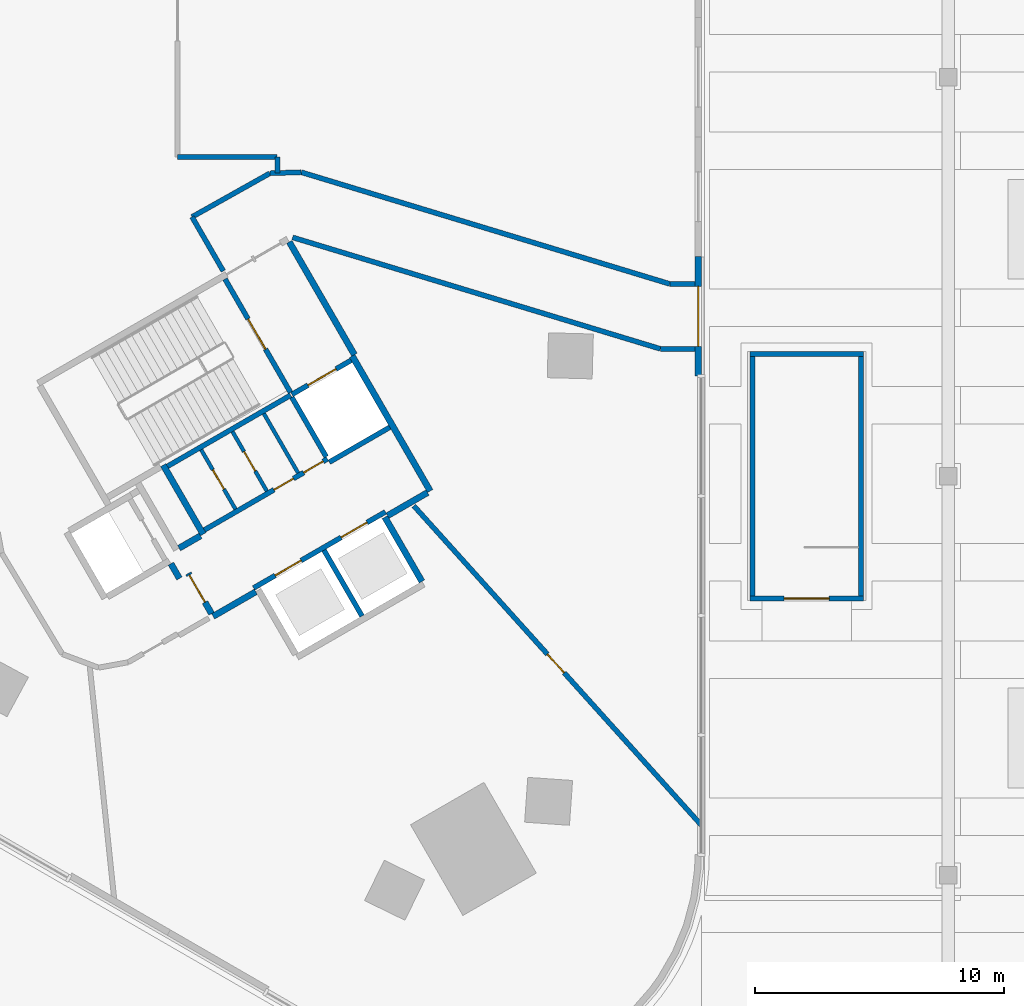
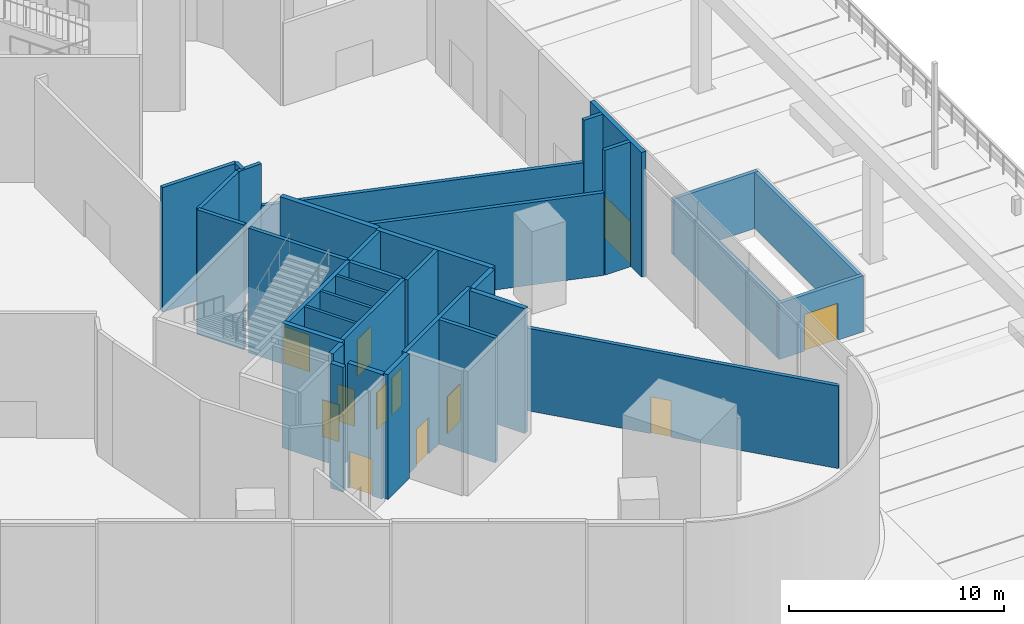
# One storey, part 21 of 41: 35 walls, 12 doors, 12 openings.
"""IFC4 building model written with IfcOpenShell, lengths in metres."""

from ifc_helpers import new_model, si_unit, direction, frame, frame_2d, origin, place, context, subcontext, project, spatial, rectangle, extrude, material, layer, layer_set, type_object, element, fill, save


model = new_model("IFC4")

# Units and contexts
model_context = context("Model", 3, precision=1e-05, world=origin(), true_north=direction((0.0, 1.0)))
body_context = subcontext(model_context, "Body", "Model", "MODEL_VIEW")
ifc_project = project(units=[si_unit("LENGTHUNIT", "METRE"), si_unit("AREAUNIT", "SQUARE_METRE"), si_unit("VOLUMEUNIT", "CUBIC_METRE"), si_unit("PLANEANGLEUNIT", "RADIAN"), si_unit("MASSUNIT", "GRAM", prefix="KILO")], contexts=[model_context])

# Site, building, storey
site_placement = place(None, origin())
site = spatial("IfcSite", under=ifc_project, at=site_placement, CompositionType="ELEMENT")
building_placement = place(site_placement, origin())
building = spatial("IfcBuilding", under=site, at=building_placement, Name="Tamra Quay Hotel Tower", CompositionType="ELEMENT")
storey_placement = place(building_placement, origin())
storey = spatial("IfcBuildingStorey", under=building, at=storey_placement, Name="L00", CompositionType="ELEMENT", Elevation=0.0)

# Wall, openings, doors
ifc_material_1 = material(Name="Concrete M70", Category="concrete")
ifc_layer_1 = layer(ifc_material_1, 0.199951171875)
ifc_layer_set_1 = layer_set([ifc_layer_1], Name="Concrete M70 core wall 200")
wall_type_1 = type_object("IfcWallType", Name="Concrete M70 core wall 200", PredefinedType="SHEAR", material=ifc_layer_set_1)
wall_1_placement = place(storey_placement, frame((9.052490234375, -20.479736328125, 0.0), z_axis=(0.0, 0.0, 1.0), x_axis=(0.866030299012, 0.499991521122, 0.0)))
wall_1 = element("IfcWall", 1, at=wall_1_placement, inside=storey, type_object=wall_type_1, Name="CW2", PredefinedType="SHEAR", context=body_context, shape_type="SweptSolid", body=[
    extrude(rectangle(XDim=6.10009765625, YDim=0.199951171875, at=frame_2d((3.050048828125, 0.0))), origin(), (0.0, 0.0, 1.0), 7.10009765625),
])
opening_1_placement = place(wall_1_placement, frame((1.0, 0.0, 0.0)))
opening_1 = element("IfcOpeningElement", 2, at=opening_1_placement, cuts=wall_1, Name="Opening LD", PredefinedType="OPENING", context=body_context, shape_type="SweptSolid", body=[
    extrude(rectangle(XDim=1.199951171875, YDim=2.10009765625, at=frame_2d((0.60009765625, 1.050048828125))), frame((0.0, 0.10986328125, 0.0), z_axis=(0.0, -1.0, 0.0), x_axis=(1.0, 0.0, 0.0)), (0.0, 0.0, 1.0), 0.219970703125),
])
opening_2_placement = place(wall_1_placement, frame((4.05029296875, 0.0, 0.0)))
opening_2 = element("IfcOpeningElement", 3, at=opening_2_placement, cuts=wall_1, Name="Opening LD", PredefinedType="OPENING", context=body_context, shape_type="SweptSolid", body=[
    extrude(rectangle(XDim=1.199951171875, YDim=2.10009765625, at=frame_2d((0.60009765625, 1.050048828125))), frame((0.0, 0.10986328125, 0.0), z_axis=(0.0, -1.0, 0.0), x_axis=(1.0, 0.0, 0.0)), (0.0, 0.0, 1.0), 0.219970703125),
])
ifc_material_2 = material(Name="Landing door LD 1200 double door sliding")
door_type_1 = type_object("IfcDoorType", Name="Landing door LD 1200 double door sliding", OperationType="DOUBLE_DOOR_SLIDING", PredefinedType="DOOR", material=ifc_material_2)
door_1_placement = place(opening_1_placement, origin())
door_1 = element("IfcDoor", 4, at=door_1_placement, inside=storey, type_object=door_type_1, Name="LD", OperationType="DOUBLE_DOOR_SLIDING", OverallHeight=2.10009765625, OverallWidth=1.199951171875, PredefinedType="DOOR", context=body_context, shape_type="SweptSolid", body=[
    extrude(rectangle(XDim=1.199951171875, YDim=2.10009765625, at=frame_2d((0.60009765625, 1.050048828125))), frame((0.0, 0.02490234375, 0.0), z_axis=(0.0, -1.0, 0.0), x_axis=(1.0, 0.0, 0.0)), (0.0, 0.0, 1.0), 0.050048828125),
])
fill(opening_1, door_1)
door_2_placement = place(opening_2_placement, origin())
door_2 = element("IfcDoor", 5, at=door_2_placement, inside=storey, type_object=door_type_1, Name="LD", OperationType="DOUBLE_DOOR_SLIDING", OverallHeight=2.10009765625, OverallWidth=1.199951171875, PredefinedType="DOOR", context=body_context, shape_type="SweptSolid", body=[
    extrude(rectangle(XDim=1.199951171875, YDim=2.10009765625, at=frame_2d((0.60009765625, 1.050048828125))), frame((0.0, 0.02490234375, 0.0), z_axis=(0.0, -1.0, 0.0), x_axis=(1.0, 0.0, 0.0)), (0.0, 0.0, 1.0), 0.050048828125),
])
fill(opening_2, door_2)

# Wall
wall_2_placement = place(storey_placement, frame((10.537841796875, -12.751953125, 0.0), z_axis=(0.0, 0.0, 1.0), x_axis=(-0.866038630372, -0.499977090179, 0.0)))
element("IfcWall", 6, at=wall_2_placement, inside=storey, type_object=wall_type_1, Name="CW2", PredefinedType="SHEAR", context=body_context, shape_type="SweptSolid", body=[
    extrude(rectangle(XDim=5.698974609375, YDim=0.199951171875, at=frame_2d((2.849609375, 0.0))), origin(), (0.0, 0.0, 1.0), 7.10009765625),
])

# Wall, openings, doors
wall_3_placement = place(storey_placement, frame((7.0771484375, -18.156005859375, 0.0), z_axis=(0.0, 0.0, 1.0), x_axis=(0.866038630372, 0.499977090179, 0.0)))
wall_3 = element("IfcWall", 7, at=wall_3_placement, inside=storey, type_object=wall_type_1, Name="CW2", PredefinedType="SHEAR", context=body_context, shape_type="SweptSolid", body=[
    extrude(rectangle(XDim=5.698974609375, YDim=0.199951171875, at=frame_2d((2.849609375, 0.0))), origin(), (0.0, 0.0, 1.0), 7.10009765625),
])
opening_3_placement = place(wall_3_placement, frame((3.22412109375, 0.0, 0.0)))
opening_3 = element("IfcOpeningElement", 8, at=opening_3_placement, cuts=wall_3, Name="Opening D2", PredefinedType="OPENING", context=body_context, shape_type="SweptSolid", body=[
    extrude(rectangle(XDim=0.89990234375, YDim=2.10009765625, at=frame_2d((0.449951171875, 1.050048828125))), frame((0.0, 0.10986328125, 0.0), z_axis=(0.0, -1.0, 0.0), x_axis=(1.0, 0.0, 0.0)), (0.0, 0.0, 1.0), 0.219970703125),
])
opening_4_placement = place(wall_3_placement, frame((4.59912109375, 0.0, 0.0)))
opening_4 = element("IfcOpeningElement", 9, at=opening_4_placement, cuts=wall_3, Name="Opening D2", PredefinedType="OPENING", context=body_context, shape_type="SweptSolid", body=[
    extrude(rectangle(XDim=0.89990234375, YDim=2.10009765625, at=frame_2d((0.449951171875, 1.050048828125))), frame((0.0, 0.10986328125, 0.0), z_axis=(0.0, -1.0, 0.0), x_axis=(1.0, 0.0, 0.0)), (0.0, 0.0, 1.0), 0.219970703125),
])
ifc_material_3 = material(Name="Core door D2 900x2100 LH")
door_type_2 = type_object("IfcDoorType", Name="Core door D2 900x2100 LH", OperationType="NOTDEFINED", PredefinedType="DOOR", material=ifc_material_3)
door_3_placement = place(opening_3_placement, origin())
door_3 = element("IfcDoor", 10, at=door_3_placement, inside=storey, type_object=door_type_2, Name="D2", OperationType="SINGLE_SWING_LEFT", OverallHeight=2.10009765625, OverallWidth=0.89990234375, PredefinedType="DOOR", context=body_context, shape_type="SweptSolid", body=[
    extrude(rectangle(XDim=0.89990234375, YDim=2.10009765625, at=frame_2d((0.449951171875, 1.050048828125))), frame((0.0, 0.02490234375, 0.0), z_axis=(0.0, -1.0, 0.0), x_axis=(1.0, 0.0, 0.0)), (0.0, 0.0, 1.0), 0.050048828125),
])
fill(opening_3, door_3)
ifc_material_4 = material(Name="Core door D2 900x2100 RH")
door_type_3 = type_object("IfcDoorType", Name="Core door D2 900x2100 RH", OperationType="NOTDEFINED", PredefinedType="DOOR", material=ifc_material_4)
door_4_placement = place(opening_4_placement, origin())
door_4 = element("IfcDoor", 11, at=door_4_placement, inside=storey, type_object=door_type_3, Name="D2", OperationType="SINGLE_SWING_RIGHT", OverallHeight=2.10009765625, OverallWidth=0.89990234375, PredefinedType="DOOR", context=body_context, shape_type="SweptSolid", body=[
    extrude(rectangle(XDim=0.89990234375, YDim=2.10009765625, at=frame_2d((0.449951171875, 1.050048828125))), frame((0.0, 0.02490234375, 0.0), z_axis=(0.0, -1.0, 0.0), x_axis=(1.0, 0.0, 0.0)), (0.0, 0.0, 1.0), 0.050048828125),
])
fill(opening_4, door_4)

# Wall, opening, door
wall_4_placement = place(storey_placement, frame((7.906494140625, -8.094482421875, 0.0), z_axis=(0.0, 0.0, 1.0), x_axis=(0.500024287448, -0.866011380966, 0.0)))
wall_4 = element("IfcWall", 12, at=wall_4_placement, inside=storey, type_object=wall_type_1, Name="CW2", PredefinedType="SHEAR", context=body_context, shape_type="SweptSolid", body=[
    extrude(rectangle(XDim=5.251220703125, YDim=0.199951171875, at=frame_2d((2.62548828125, 0.0))), origin(), (0.0, 0.0, 1.0), 7.10009765625),
])
opening_5_placement = place(wall_4_placement, frame((1.84912109375, 0.0, 0.0)))
opening_5 = element("IfcOpeningElement", 13, at=opening_5_placement, cuts=wall_4, Name="Opening FD2", PredefinedType="OPENING", context=body_context, shape_type="SweptSolid", body=[
    extrude(rectangle(XDim=1.39990234375, YDim=2.10009765625, at=frame_2d((0.699951171875, 1.050048828125))), frame((0.0, 0.10986328125, 0.0), z_axis=(0.0, -1.0, 0.0), x_axis=(1.0, 0.0, 0.0)), (0.0, 0.0, 1.0), 0.219970703125),
])
ifc_material_5 = material(Name="Core door FD2 1400x2100 RH")
door_type_4 = type_object("IfcDoorType", Name="Core door FD2 1400x2100 RH", OperationType="NOTDEFINED", PredefinedType="DOOR", material=ifc_material_5)
door_5_placement = place(opening_5_placement, origin())
door_5 = element("IfcDoor", 14, at=door_5_placement, inside=storey, type_object=door_type_4, Name="FD2", OperationType="SINGLE_SWING_RIGHT", OverallHeight=2.10009765625, OverallWidth=1.39990234375, PredefinedType="DOOR", context=body_context, shape_type="SweptSolid", body=[
    extrude(rectangle(XDim=1.39990234375, YDim=2.10009765625, at=frame_2d((0.699951171875, 1.050048828125))), frame((0.0, 0.02490234375, 0.0), z_axis=(0.0, -1.0, 0.0), x_axis=(1.0, 0.0, 0.0)), (0.0, 0.0, 1.0), 0.050048828125),
])
fill(opening_5, door_5)

# Walls
wall_5_placement = place(storey_placement, frame((11.87451171875, -18.967041015625, 0.0), z_axis=(0.0, 0.0, 1.0), x_axis=(0.49998131003, -0.866036194175, 0.0)))
element("IfcWall", 15, at=wall_5_placement, inside=storey, type_object=wall_type_1, Name="CW2", PredefinedType="SHEAR", context=body_context, shape_type="SweptSolid", body=[
    extrude(rectangle(XDim=3.0478515625, YDim=0.199951171875, at=frame_2d((1.52392578125, 0.0))), origin(), (0.0, 0.0, 1.0), 7.10009765625),
])
wall_6_placement = place(storey_placement, frame((11.962646484375, -15.219970703125, 0.0), z_axis=(0.0, 0.0, 1.0), x_axis=(-0.500034990121, 0.866005201286, 0.0)))
element("IfcWall", 16, at=wall_6_placement, inside=storey, type_object=wall_type_1, Name="CW2", PredefinedType="SHEAR", context=body_context, shape_type="SweptSolid", body=[
    extrude(rectangle(XDim=2.749755859375, YDim=0.199951171875, at=frame_2d((1.375, 0.0))), origin(), (0.0, 0.0, 1.0), 7.10009765625),
])

# Wall, opening, door
wall_7_placement = place(storey_placement, frame((10.587158203125, -12.72314453125, 0.0), z_axis=(0.0, 0.0, 1.0), x_axis=(0.866037306777, 0.499979382845, 0.0)))
wall_7 = element("IfcWall", 17, at=wall_7_placement, inside=storey, type_object=wall_type_1, Name="CW2", PredefinedType="SHEAR", context=body_context, shape_type="SweptSolid", body=[
    extrude(rectangle(XDim=2.74169921875, YDim=0.199951171875, at=frame_2d((1.370849609375, 0.0))), origin(), (0.0, 0.0, 1.0), 7.10009765625),
])
opening_6_placement = place(wall_7_placement, frame((0.742919921875, 0.0, 0.0)))
opening_6 = element("IfcOpeningElement", 18, at=opening_6_placement, cuts=wall_7, Name="Opening LD", PredefinedType="OPENING", context=body_context, shape_type="SweptSolid", body=[
    extrude(rectangle(XDim=1.300048828125, YDim=2.10009765625, at=frame_2d((0.64990234375, 1.050048828125))), frame((0.0, 0.10986328125, 0.0), z_axis=(0.0, -1.0, 0.0), x_axis=(1.0, 0.0, 0.0)), (0.0, 0.0, 1.0), 0.219970703125),
])
ifc_material_6 = material(Name="Landing door LD 1300 sliding to right")
door_type_5 = type_object("IfcDoorType", Name="Landing door LD 1300 sliding to right", OperationType="NOTDEFINED", PredefinedType="DOOR", material=ifc_material_6)
door_6_placement = place(opening_6_placement, origin())
door_6 = element("IfcDoor", 19, at=door_6_placement, inside=storey, type_object=door_type_5, Name="LD", OperationType="SLIDING_TO_RIGHT", OverallHeight=2.10009765625, OverallWidth=1.300048828125, PredefinedType="DOOR", context=body_context, shape_type="SweptSolid", body=[
    extrude(rectangle(XDim=1.300048828125, YDim=2.10009765625, at=frame_2d((0.64990234375, 1.050048828125))), frame((0.0, 0.02490234375, 0.0), z_axis=(0.0, -1.0, 0.0), x_axis=(1.0, 0.0, 0.0)), (0.0, 0.0, 1.0), 0.050048828125),
])
fill(opening_6, door_6)

# Walls
wall_8_placement = place(storey_placement, frame((14.51171875, -14.037109375, 0.0), z_axis=(0.0, 0.0, 1.0), x_axis=(-0.866044696403, -0.499966582715, 0.0)))
element("IfcWall", 20, at=wall_8_placement, inside=storey, type_object=wall_type_1, Name="CW2", PredefinedType="SHEAR", context=body_context, shape_type="SweptSolid", body=[
    extrude(rectangle(XDim=2.799072265625, YDim=0.199951171875, at=frame_2d((1.3994140625, 0.0))), origin(), (0.0, 0.0, 1.0), 7.10009765625),
])
ifc_layer_2 = layer(ifc_material_1, 0.25)
ifc_layer_set_2 = layer_set([ifc_layer_2], Name="Concrete M70 core wall 250")
wall_type_2 = type_object("IfcWallType", Name="Concrete M70 core wall 250", PredefinedType="SHEAR", material=ifc_layer_set_2)
wall_9_placement = place(storey_placement, frame((13.00830078125, -11.18115234375, 0.0), z_axis=(0.0, 0.0, 1.0), x_axis=(0.500004234368, -0.866022959057, 0.0)))
element("IfcWall", 21, at=wall_9_placement, inside=storey, type_object=wall_type_2, Name="CW1", PredefinedType="SHEAR", context=body_context, shape_type="SweptSolid", body=[
    extrude(rectangle(XDim=6.25, YDim=0.25, at=frame_2d((3.125, 0.0))), origin(), (0.0, 0.0, 1.0), 7.10009765625),
])
wall_10_placement = place(storey_placement, frame((10.482666015625, -6.6064453125, 0.0), z_axis=(0.0, 0.0, 1.0), x_axis=(0.49999885962, -0.866026062182, 0.0)))
element("IfcWall", 22, at=wall_10_placement, inside=storey, type_object=wall_type_2, Name="CW1", PredefinedType="SHEAR", context=body_context, shape_type="SweptSolid", body=[
    extrude(rectangle(XDim=5.224609375, YDim=0.25, at=frame_2d((2.6123046875, 0.0))), origin(), (0.0, 0.0, 1.0), 7.10009765625),
])
wall_11_placement = place(storey_placement, frame((7.030517578125, -18.327392578125, 0.0), z_axis=(0.0, 0.0, 1.0), x_axis=(-0.499971222258, 0.866042017984, 0.0)))
element("IfcWall", 23, at=wall_11_placement, inside=storey, type_object=wall_type_2, Name="CW1", PredefinedType="SHEAR", context=body_context, shape_type="SweptSolid", body=[
    extrude(rectangle(XDim=3.199951171875, YDim=0.25, at=frame_2d((1.60009765625, 0.0))), origin(), (0.0, 0.0, 1.0), 7.10009765625),
])
wall_12_placement = place(storey_placement, frame((14.314697265625, -17.643798828125, 0.0), z_axis=(0.0, 0.0, 1.0), x_axis=(0.500023226632, -0.866011993467, 0.0)))
element("IfcWall", 24, at=wall_12_placement, inside=storey, type_object=wall_type_2, Name="CW1", PredefinedType="SHEAR", context=body_context, shape_type="SweptSolid", body=[
    extrude(rectangle(XDim=2.974365234375, YDim=0.25, at=frame_2d((1.4873046875, 0.0))), origin(), (0.0, 0.0, 1.0), 7.10009765625),
])
wall_13_placement = place(storey_placement, frame((9.139892578125, -20.63134765625, 0.0), z_axis=(0.0, 0.0, 1.0), x_axis=(-0.866043531843, -0.499968599967, 0.0)))
element("IfcWall", 25, at=wall_13_placement, inside=storey, type_object=wall_type_2, Name="CW1", PredefinedType="SHEAR", context=body_context, shape_type="SweptSolid", body=[
    extrude(rectangle(XDim=1.974853515625, YDim=0.25, at=frame_2d((0.9873046875, 0.0))), origin(), (0.0, 0.0, 1.0), 7.10009765625),
])
wall_14_placement = place(storey_placement, frame((16.024658203125, -16.656494140625, 0.0), z_axis=(0.0, 0.0, 1.0), x_axis=(-0.866016279763, -0.500015802937, 0.0)))
element("IfcWall", 26, at=wall_14_placement, inside=storey, type_object=wall_type_2, Name="CW1", PredefinedType="SHEAR", context=body_context, shape_type="SweptSolid", body=[
    extrude(rectangle(XDim=1.84912109375, YDim=0.25, at=frame_2d((0.924560546875, 0.0))), origin(), (0.0, 0.0, 1.0), 7.10009765625),
])

# Wall, opening, door
wall_15_placement = place(storey_placement, frame((7.3671875, -21.51025390625, 0.0), z_axis=(0.0, 0.0, 1.0), x_axis=(-0.499983108224, 0.866035156036, 0.0)))
wall_15 = element("IfcWall", 27, at=wall_15_placement, inside=storey, type_object=wall_type_2, Name="CW1", PredefinedType="SHEAR", context=body_context, shape_type="SweptSolid", body=[
    extrude(rectangle(XDim=1.86474609375, YDim=0.25, at=frame_2d((0.932373046875, 0.0))), origin(), (0.0, 0.0, 1.0), 7.10009765625),
])
opening_7_placement = place(wall_15_placement, frame((0.53466796875, 0.0, 0.0)))
opening_7 = element("IfcOpeningElement", 28, at=opening_7_placement, cuts=wall_15, Name="Opening FD3", PredefinedType="OPENING", context=body_context, shape_type="SweptSolid", body=[
    extrude(rectangle(XDim=1.25, YDim=2.10009765625, at=frame_2d((0.625, 1.050048828125))), frame((0.0, 0.135009765625, 0.0), z_axis=(0.0, -1.0, 0.0), x_axis=(1.0, 0.0, 0.0)), (0.0, 0.0, 1.0), 0.27001953125),
])
ifc_material_7 = material(Name="Core door FD3 1250x2100 LH")
door_type_6 = type_object("IfcDoorType", Name="Core door FD3 1250x2100 LH", OperationType="NOTDEFINED", PredefinedType="DOOR", material=ifc_material_7)
door_7_placement = place(opening_7_placement, origin())
door_7 = element("IfcDoor", 29, at=door_7_placement, inside=storey, type_object=door_type_6, Name="FD3", OperationType="SINGLE_SWING_LEFT", OverallHeight=2.10009765625, OverallWidth=1.25, PredefinedType="DOOR", context=body_context, shape_type="SweptSolid", body=[
    extrude(rectangle(XDim=1.25, YDim=2.10009765625, at=frame_2d((0.625, 1.050048828125))), frame((0.0, 0.02490234375, 0.0), z_axis=(0.0, -1.0, 0.0), x_axis=(1.0, 0.0, 0.0)), (0.0, 0.0, 1.0), 0.050048828125),
])
fill(opening_7, door_7)

# Walls
wall_16_placement = place(storey_placement, frame((6.0654296875, -18.884765625, 0.0), z_axis=(0.0, 0.0, 1.0), x_axis=(0.866017078145, 0.500014420154, 0.0)))
element("IfcWall", 30, at=wall_16_placement, inside=storey, type_object=wall_type_2, Name="CW1", PredefinedType="SHEAR", context=body_context, shape_type="SweptSolid", body=[
    extrude(rectangle(XDim=0.9892578125, YDim=0.25, at=frame_2d((0.49462890625, 0.0))), origin(), (0.0, 0.0, 1.0), 7.10009765625),
])
wall_17_placement = place(storey_placement, frame((6.07958984375, -20.100341796875, 0.0), z_axis=(0.0, 0.0, 1.0), x_axis=(-0.500051773299, 0.865995510393, 0.0)))
element("IfcWall", 31, at=wall_17_placement, inside=storey, type_object=wall_type_2, Name="CW1", PredefinedType="SHEAR", context=body_context, shape_type="SweptSolid", body=[
    extrude(rectangle(XDim=0.6845703125, YDim=0.25, at=frame_2d((0.34228515625, 0.0))), origin(), (0.0, 0.0, 1.0), 7.10009765625),
])
ifc_layer_3 = layer(ifc_material_1, 0.199951171875)
ifc_layer_set_3 = layer_set([ifc_layer_3], Name="Concrete M70 stair enclosure wall 200")
wall_type_3 = type_object("IfcWallType", Name="Concrete M70 stair enclosure wall 200", PredefinedType="SOLIDWALL", material=ifc_layer_set_3)
for number, where, z_axis, x_axis, name in (
    (32, (29.050048828125, -20.800048828125, 0.0), (0.0, 0.0, 1.0), (0.0, 1.0, 0.0), "SEW"),
    (33, (33.39990234375, -20.800048828125, 0.0), (0.0, 0.0, 1.0), (0.0, 1.0, 0.0), "SEW"),
):
    element("IfcWall", number, at=place(storey_placement, frame(where, z_axis=z_axis, x_axis=x_axis)), inside=storey, type_object=wall_type_3, Name=name, PredefinedType="SOLIDWALL", context=body_context, shape_type="SweptSolid", body=[
        extrude(rectangle(XDim=9.60009765625, YDim=0.199951171875, at=frame_2d((4.800048828125, 0.0))), origin(), (0.0, 0.0, 1.0), 3.199951171875),
    ])

# Wall, opening, door
wall_18_placement = place(storey_placement, frame((33.5, -20.89990234375, 0.0), z_axis=(0.0, 0.0, 1.0), x_axis=(-1.0, 0.0, 0.0)))
wall_18 = element("IfcWall", 34, at=wall_18_placement, inside=storey, type_object=wall_type_3, Name="SEW", PredefinedType="SOLIDWALL", context=body_context, shape_type="SweptSolid", body=[
    extrude(rectangle(XDim=4.550048828125, YDim=0.199951171875, at=frame_2d((2.27490234375, 0.0))), origin(), (0.0, 0.0, 1.0), 3.199951171875),
])
opening_8_placement = place(wall_18_placement, frame((1.375, 0.0, 0.0)))
opening_8 = element("IfcOpeningElement", 35, at=opening_8_placement, cuts=wall_18, Name="Opening SD2", PredefinedType="OPENING", context=body_context, shape_type="SweptSolid", body=[
    extrude(rectangle(XDim=1.800048828125, YDim=2.10009765625, at=frame_2d((0.89990234375, 1.050048828125))), frame((0.0, 0.10986328125, 0.0), z_axis=(0.0, -1.0, 0.0), x_axis=(1.0, 0.0, 0.0)), (0.0, 0.0, 1.0), 0.219970703125),
])
ifc_material_8 = material(Name="Stair discharge door 1800 x 2100")
door_type_7 = type_object("IfcDoorType", Name="Stair discharge door 1800 x 2100", OperationType="DOUBLE_DOOR_SINGLE_SWING", PredefinedType="DOOR", material=ifc_material_8)
door_8_placement = place(opening_8_placement, origin())
door_8 = element("IfcDoor", 36, at=door_8_placement, inside=storey, type_object=door_type_7, Name="SD2", OperationType="DOUBLE_DOOR_SINGLE_SWING", OverallHeight=2.10009765625, OverallWidth=1.800048828125, PredefinedType="DOOR", context=body_context, shape_type="SweptSolid", body=[
    extrude(rectangle(XDim=1.800048828125, YDim=2.10009765625, at=frame_2d((0.89990234375, 1.050048828125))), frame((0.0, 0.02490234375, 0.0), z_axis=(0.0, -1.0, 0.0), x_axis=(1.0, 0.0, 0.0)), (0.0, 0.0, 1.0), 0.050048828125),
])
fill(opening_8, door_8)

# Wall
wall_19_placement = place(storey_placement, frame((28.949951171875, -11.10009765625, 0.0), z_axis=(0.0, 0.0, 1.0), x_axis=(1.0, 0.0, 0.0)))
element("IfcWall", 37, at=wall_19_placement, inside=storey, type_object=wall_type_3, Name="SEW", PredefinedType="SOLIDWALL", context=body_context, shape_type="SweptSolid", body=[
    extrude(rectangle(XDim=4.550048828125, YDim=0.199951171875, at=frame_2d((2.27490234375, 0.0))), origin(), (0.0, 0.0, 1.0), 3.199951171875),
])

# Wall, opening, door
ifc_material_9 = material(Name="Blockwork", Category="masonry")
ifc_layer_4 = layer(ifc_material_9, 0.14990234375)
ifc_layer_set_4 = layer_set([ifc_layer_4], Name="Core partition block 150")
wall_type_4 = type_object("IfcWallType", Name="Core partition block 150", PredefinedType="PARTITIONING", material=ifc_layer_set_4)
wall_20_placement = place(storey_placement, frame((8.20654296875, -14.214111328125, 0.0), z_axis=(0.0, 0.0, 1.0), x_axis=(0.50002746344, -0.86600954718, 0.0)))
wall_20 = element("IfcWall", 38, at=wall_20_placement, inside=storey, type_object=wall_type_4, Name="CP1", PredefinedType="PARTITIONING", context=body_context, shape_type="SweptSolid", body=[
    extrude(rectangle(XDim=2.748291015625, YDim=0.14990234375, at=frame_2d((1.3740234375, 0.0))), origin(), (0.0, 0.0, 1.0), 7.10009765625),
])
opening_9_placement = place(wall_20_placement, frame((0.92431640625, 0.0, 0.0)))
opening_9 = element("IfcOpeningElement", 39, at=opening_9_placement, cuts=wall_20, Name="Opening D2", PredefinedType="OPENING", context=body_context, shape_type="SweptSolid", body=[
    extrude(rectangle(XDim=0.89990234375, YDim=2.10009765625, at=frame_2d((0.449951171875, 1.050048828125))), frame((0.0, 0.0849609375, 0.0), z_axis=(0.0, -1.0, 0.0), x_axis=(1.0, 0.0, 0.0)), (0.0, 0.0, 1.0), 0.169921875),
])
door_9_placement = place(opening_9_placement, origin())
door_9 = element("IfcDoor", 40, at=door_9_placement, inside=storey, type_object=door_type_3, Name="D2", OperationType="SINGLE_SWING_RIGHT", OverallHeight=2.10009765625, OverallWidth=0.89990234375, PredefinedType="DOOR", context=body_context, shape_type="SweptSolid", body=[
    extrude(rectangle(XDim=0.89990234375, YDim=2.10009765625, at=frame_2d((0.449951171875, 1.050048828125))), frame((0.0, 0.02490234375, 0.0), z_axis=(0.0, -1.0, 0.0), x_axis=(1.0, 0.0, 0.0)), (0.0, 0.0, 1.0), 0.050048828125),
])
fill(opening_9, door_9)

# Wall
wall_21_placement = place(storey_placement, frame((9.46240234375, -13.489013671875, 0.0), z_axis=(0.0, 0.0, 1.0), x_axis=(0.499988999718, -0.866031754707, 0.0)))
element("IfcWall", 41, at=wall_21_placement, inside=storey, type_object=wall_type_4, Name="CP1", PredefinedType="PARTITIONING", context=body_context, shape_type="SweptSolid", body=[
    extrude(rectangle(XDim=2.74853515625, YDim=0.14990234375, at=frame_2d((1.374267578125, 0.0))), origin(), (0.0, 0.0, 1.0), 7.10009765625),
])

# Wall, opening, door
wall_22_placement = place(storey_placement, frame((6.950927734375, -14.93896484375, 0.0), z_axis=(0.0, 0.0, 1.0), x_axis=(0.499988999718, -0.866031754707, 0.0)))
wall_22 = element("IfcWall", 42, at=wall_22_placement, inside=storey, type_object=wall_type_4, Name="CP1", PredefinedType="PARTITIONING", context=body_context, shape_type="SweptSolid", body=[
    extrude(rectangle(XDim=2.74853515625, YDim=0.14990234375, at=frame_2d((1.374267578125, 0.0))), origin(), (0.0, 0.0, 1.0), 7.10009765625),
])
opening_10_placement = place(wall_22_placement, frame((0.92431640625, 0.0, 0.0)))
opening_10 = element("IfcOpeningElement", 43, at=opening_10_placement, cuts=wall_22, Name="Opening D2", PredefinedType="OPENING", context=body_context, shape_type="SweptSolid", body=[
    extrude(rectangle(XDim=0.89990234375, YDim=2.10009765625, at=frame_2d((0.449951171875, 1.050048828125))), frame((0.0, 0.0849609375, 0.0), z_axis=(0.0, -1.0, 0.0), x_axis=(1.0, 0.0, 0.0)), (0.0, 0.0, 1.0), 0.169921875),
])
door_10_placement = place(opening_10_placement, origin())
door_10 = element("IfcDoor", 44, at=door_10_placement, inside=storey, type_object=door_type_2, Name="D2", OperationType="SINGLE_SWING_LEFT", OverallHeight=2.10009765625, OverallWidth=0.89990234375, PredefinedType="DOOR", context=body_context, shape_type="SweptSolid", body=[
    extrude(rectangle(XDim=0.89990234375, YDim=2.10009765625, at=frame_2d((0.449951171875, 1.050048828125))), frame((0.0, 0.02490234375, 0.0), z_axis=(0.0, -1.0, 0.0), x_axis=(1.0, 0.0, 0.0)), (0.0, 0.0, 1.0), 0.050048828125),
])
fill(opening_10, door_10)

ifc_material_10 = material(Name="Blockwork masonry plastered", Category="masonry")
ifc_layer_5 = layer(ifc_material_10, 0.25)
ifc_layer_set_5 = layer_set([ifc_layer_5], Name="EXTERNAL WALL 250")
wall_type_5 = type_object("IfcWallType", Name="EXTERNAL WALL 250", PredefinedType="SOLIDWALL", material=ifc_layer_set_5)
wall_23_placement = place(storey_placement, frame((26.875, -7.194580078125, 0.0), z_axis=(0.0, 0.0, 1.0), x_axis=(0.0, -1.0, 0.0)))
wall_23 = element("IfcWall", 45, at=wall_23_placement, inside=storey, type_object=wall_type_5, Name="EW1", PredefinedType="SOLIDWALL", context=body_context, shape_type="SweptSolid", body=[
    extrude(rectangle(XDim=4.796630859375, YDim=0.25, at=frame_2d((2.3984375, 0.0))), origin(), (0.0, 0.0, 1.0), 7.10009765625),
])
opening_11_placement = place(wall_23_placement, frame((1.1982421875, 0.0, 0.0)))
opening_11 = element("IfcOpeningElement", 46, at=opening_11_placement, cuts=wall_23, Name="Opening XD1", PredefinedType="OPENING", context=body_context, shape_type="SweptSolid", body=[
    extrude(rectangle(XDim=2.39990234375, YDim=2.39990234375, at=frame_2d((1.199951171875, 1.199951171875))), frame((0.0, 0.135009765625, 0.0), z_axis=(0.0, -1.0, 0.0), x_axis=(1.0, 0.0, 0.0)), (0.0, 0.0, 1.0), 0.27001953125),
])
ifc_material_11 = material(Name="Aluminium door set dark grey", Category="aluminium")
door_type_8 = type_object("IfcDoorType", Name="STAIR DISCHARGE DOOR PAIR 2400X2400", OperationType="DOUBLE_DOOR_DOUBLE_SWING", PredefinedType="DOOR", material=ifc_material_11)
door_11_placement = place(opening_11_placement, origin())
door_11 = element("IfcDoor", 47, at=door_11_placement, inside=storey, type_object=door_type_8, Name="XD1", OperationType="DOUBLE_DOOR_DOUBLE_SWING", OverallHeight=2.39990234375, OverallWidth=2.39990234375, PredefinedType="DOOR", context=body_context, shape_type="SweptSolid", body=[
    extrude(rectangle(XDim=2.39990234375, YDim=2.39990234375, at=frame_2d((1.199951171875, 1.199951171875))), frame((0.0, 0.02490234375, 0.0), z_axis=(0.0, -1.0, 0.0), x_axis=(1.0, 0.0, 0.0)), (0.0, 0.0, 1.0), 0.050048828125),
])
fill(opening_11, door_11)

# Walls
ifc_material_12 = material(Name="Partition atrium enclosure wall")
ifc_layer_6 = layer(ifc_material_12, 0.199951171875)
ifc_layer_set_6 = layer_set([ifc_layer_6], Name="Partition atrium enclosure wall")
wall_type_6 = type_object("IfcWallType", Name="Partition atrium enclosure wall", PredefinedType="PARTITIONING", material=ifc_layer_set_6)
wall_24_placement = place(storey_placement, frame((6.583984375, -5.60498046875, 0.0), z_axis=(0.0, 0.0, 1.0), x_axis=(0.500037327496, -0.866003851672, 0.0)))
element("IfcWall", 48, at=wall_24_placement, inside=storey, type_object=wall_type_6, Name="W-A", PredefinedType="PARTITIONING", context=body_context, shape_type="SweptSolid", body=[
    extrude(rectangle(XDim=2.505615234375, YDim=0.199951171875, at=frame_2d((1.2529296875, 0.0))), origin(), (0.0, 0.0, 1.0), 7.10009765625),
])
wall_25_placement = place(storey_placement, frame((6.583984375, -5.60498046875, 0.0), z_axis=(0.0, 0.0, 1.0), x_axis=(0.872179971593, 0.489185135867, 0.0)))
element("IfcWall", 49, at=wall_25_placement, inside=storey, type_object=wall_type_6, Name="W-A", PredefinedType="PARTITIONING", context=body_context, shape_type="SweptSolid", body=[
    extrude(rectangle(XDim=3.577392578125, YDim=0.199951171875, at=frame_2d((1.78857421875, 0.0))), origin(), (0.0, 0.0, 1.0), 7.10009765625),
])
wall_26_placement = place(storey_placement, frame((9.7041015625, -3.85498046875, 0.0), z_axis=(0.0, 0.0, 1.0), x_axis=(0.999442318284, 0.033392400689, 0.0)))
element("IfcWall", 50, at=wall_26_placement, inside=storey, type_object=wall_type_6, Name="W-A", PredefinedType="PARTITIONING", context=body_context, shape_type="SweptSolid", body=[
    extrude(rectangle(XDim=1.257568359375, YDim=0.199951171875, at=frame_2d((0.62890625, 0.0))), origin(), (0.0, 0.0, 1.0), 7.10009765625),
])
wall_27_placement = place(storey_placement, frame((10.616943359375, -6.426025390625, 0.0), z_axis=(0.0, 0.0, 1.0), x_axis=(0.957017605076, -0.290029832216, 0.0)))
element("IfcWall", 51, at=wall_27_placement, inside=storey, type_object=wall_type_6, Name="W-A", PredefinedType="PARTITIONING", context=body_context, shape_type="SweptSolid", body=[
    extrude(rectangle(XDim=15.402099609375, YDim=0.199951171875, at=frame_2d((7.701171875, 0.0))), origin(), (0.0, 0.0, 1.0), 4.699951171875),
])
wall_28_placement = place(storey_placement, frame((10.9609375, -3.81298828125, 0.0), z_axis=(0.0, 0.0, 1.0), x_axis=(0.957013768883, -0.29004249028, 0.0)))
element("IfcWall", 52, at=wall_28_placement, inside=storey, type_object=wall_type_6, Name="W-A", PredefinedType="PARTITIONING", context=body_context, shape_type="SweptSolid", body=[
    extrude(rectangle(XDim=15.446044921875, YDim=0.199951171875, at=frame_2d((7.72314453125, 0.0))), origin(), (0.0, 0.0, 1.0), 4.699951171875),
])
wall_29_placement = place(storey_placement, frame((25.35693359375, -10.89306640625, 0.0), z_axis=(0.0, 0.0, 1.0), x_axis=(1.0, 0.0, 0.0)))
element("IfcWall", 53, at=wall_29_placement, inside=storey, type_object=wall_type_6, Name="W-A", PredefinedType="PARTITIONING", context=body_context, shape_type="SweptSolid", body=[
    extrude(rectangle(XDim=1.39306640625, YDim=0.199951171875, at=frame_2d((0.696533203125, 0.0))), origin(), (0.0, 0.0, 1.0), 7.10009765625),
])
wall_30_placement = place(storey_placement, frame((25.742919921875, -8.29296875, 0.0), z_axis=(0.0, 0.0, 1.0), x_axis=(1.0, 0.0, 0.0)))
element("IfcWall", 54, at=wall_30_placement, inside=storey, type_object=wall_type_6, Name="W-A", PredefinedType="PARTITIONING", context=body_context, shape_type="SweptSolid", body=[
    extrude(rectangle(XDim=1.007080078125, YDim=0.199951171875, at=frame_2d((0.50341796875, 0.0))), origin(), (0.0, 0.0, 1.0), 7.10009765625),
])
ifc_material_13 = material(Name="Partition party wall")
ifc_layer_7 = layer(ifc_material_13, 0.199951171875)
ifc_layer_set_7 = layer_set([ifc_layer_7], Name="Partition party wall")
wall_type_7 = type_object("IfcWallType", Name="Partition party wall", PredefinedType="PARTITIONING", material=ifc_layer_set_7)
wall_31_placement = place(storey_placement, frame((6.0, -3.199951171875, 0.0), z_axis=(0.0, 0.0, 1.0), x_axis=(1.0, 0.0, 0.0)))
element("IfcWall", 55, at=wall_31_placement, inside=storey, type_object=wall_type_7, Name="W-P", PredefinedType="PARTITIONING", context=body_context, shape_type="SweptSolid", body=[
    extrude(rectangle(XDim=4.0, YDim=0.199951171875, at=frame_2d((2.0, 0.0))), origin(), (0.0, 0.0, 1.0), 7.10009765625),
])
wall_32_placement = place(storey_placement, frame((10.001953125, -3.843017578125, 0.0), z_axis=(0.0, 0.0, 1.0), x_axis=(0.0, 1.0, 0.0)))
element("IfcWall", 56, at=wall_32_placement, inside=storey, type_object=wall_type_7, Name="W-P", PredefinedType="PARTITIONING", context=body_context, shape_type="SweptSolid", body=[
    extrude(rectangle(XDim=0.64111328125, YDim=0.199951171875, at=frame_2d((0.320556640625, 0.0))), origin(), (0.0, 0.0, 1.0), 7.10009765625),
])

# Wall, opening, door
wall_33_placement = place(storey_placement, frame((15.474853515625, -17.1875, 0.0), z_axis=(0.0, 0.0, 1.0), x_axis=(0.669166821611, -0.74311221552, 0.0)))
wall_33 = element("IfcWall", 57, at=wall_33_placement, inside=storey, type_object=wall_type_7, Name="W-P", PredefinedType="PARTITIONING", context=body_context, shape_type="SweptSolid", body=[
    extrude(rectangle(XDim=17.218017578125, YDim=0.199951171875, at=frame_2d((8.60888671875, 0.0))), origin(), (0.0, 0.0, 1.0), 4.699951171875),
])
opening_12_placement = place(wall_33_placement, frame((8.006103515625, 0.0, 0.0)))
opening_12 = element("IfcOpeningElement", 58, at=opening_12_placement, cuts=wall_33, Name="Opening L00-D020", PredefinedType="OPENING", context=body_context, shape_type="SweptSolid", body=[
    extrude(rectangle(XDim=1.0, YDim=2.10009765625, at=frame_2d((0.5, 1.050048828125))), frame((0.0, 0.10986328125, 0.0), z_axis=(0.0, -1.0, 0.0), x_axis=(1.0, 0.0, 0.0)), (0.0, 0.0, 1.0), 0.219970703125),
])
ifc_material_14 = material(Name="Door guest room 1000x2100")
door_type_9 = type_object("IfcDoorType", Name="Door guest room 1000x2100", OperationType="NOTDEFINED", PredefinedType="DOOR", material=ifc_material_14)
door_12_placement = place(opening_12_placement, origin())
door_12 = element("IfcDoor", 59, at=door_12_placement, inside=storey, type_object=door_type_9, Name="L00-D020", OperationType="SINGLE_SWING_LEFT", OverallHeight=2.10009765625, OverallWidth=1.0, PredefinedType="DOOR", context=body_context, shape_type="SweptSolid", body=[
    extrude(rectangle(XDim=1.0, YDim=2.10009765625, at=frame_2d((0.5, 1.050048828125))), frame((0.0, 0.02490234375, 0.0), z_axis=(0.0, -1.0, 0.0), x_axis=(1.0, 0.0, 0.0)), (0.0, 0.0, 1.0), 0.050048828125),
])
fill(opening_12, door_12)

save(model, "model.ifc")
